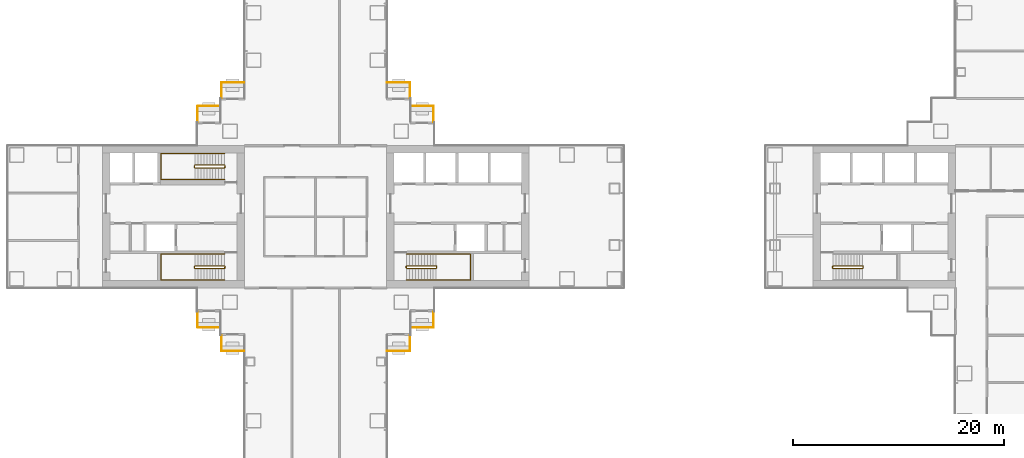
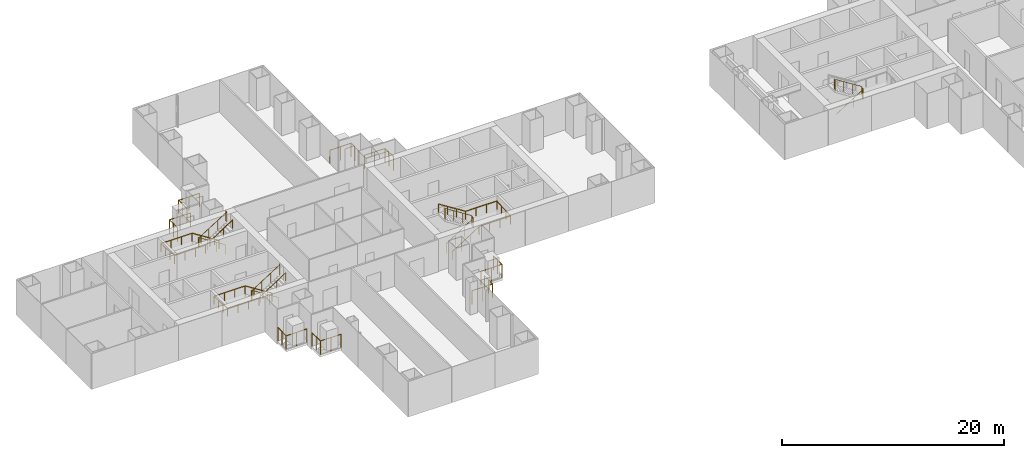
# One storey, part 19 of 21: 15 railings.
"""IFC4 building model written with IfcOpenShell, lengths in metres."""

from ifc_helpers import new_model, si_unit, direction, frame, origin, origin_2d, place, context, subcontext, project, spatial, circle, extrude, material, type_object, element, save


model = new_model("IFC4")

# Units and contexts
model_context = context("Model", 3, precision=1e-05, world=origin(), true_north=direction((0.0, 1.0)))
body_context = subcontext(model_context, "Body", "Model", "MODEL_VIEW")
ifc_project = project(units=[si_unit("LENGTHUNIT", "METRE"), si_unit("AREAUNIT", "SQUARE_METRE"), si_unit("VOLUMEUNIT", "CUBIC_METRE"), si_unit("PLANEANGLEUNIT", "RADIAN"), si_unit("MASSUNIT", "GRAM", prefix="KILO")], contexts=[model_context])

# Site, building, storey
site_placement = place(None, origin())
site = spatial("IfcSite", under=ifc_project, at=site_placement, CompositionType="ELEMENT")
building_placement = place(site_placement, origin())
building = spatial("IfcBuilding", under=site, at=building_placement, Name="Shamsa Quay Exchange Towers", CompositionType="ELEMENT")
storey_placement = place(building_placement, frame((0.0, 0.0, 42.0)))
storey = spatial("IfcBuildingStorey", under=building, at=storey_placement, Name="L08", CompositionType="ELEMENT", Elevation=42.0)

# Railings
ifc_material_1 = material(Name="Steel S355, black powder-coated", Category="steel")
railing_type_1 = type_object("IfcRailingType", Name="BALCONY GUARD 1500", PredefinedType="GUARDRAIL", material=ifc_material_1)
for number, where, name in (
    (1, (-22.550048828125, 9.02099609375, 0.0), "Balcony guard T1-PKEN L08"),
    (2, (-24.800048828125, 11.27099609375, 0.0), "Balcony guard T1-PKEN L08"),
):
    element("IfcRailing", number, at=place(storey_placement, frame(where)), inside=storey, type_object=railing_type_1, Name=name, PredefinedType="GUARDRAIL", context=body_context, shape_type="SweptSolid", body=[
        extrude(circle(Radius=0.02392578125, at=origin_2d()), frame((0.0, 0.0, 1.47607421875), z_axis=(0.0, 1.0, 0.0), x_axis=(-1.0, 0.0, 0.0)), (0.0, 0.0, 1.0), 1.47900390625),
        extrude(circle(Radius=0.02392578125, at=origin_2d()), frame((0.0, 1.47900390625, 1.47607421875), z_axis=(-1.0, 0.0, 0.0), x_axis=(0.0, -1.0, 0.0)), (0.0, 0.0, 1.0), 2.161865234375),
        extrude(circle(Radius=0.02099609375, at=origin_2d()), origin(), (0.0, 0.0, 1.0), 1.451904296875),
        extrude(circle(Radius=0.02099609375, at=origin_2d()), frame((0.0, 0.739501953125, 0.0)), (0.0, 0.0, 1.0), 1.451904296875),
        extrude(circle(Radius=0.02099609375, at=origin_2d()), frame((0.0, 1.47900390625, 0.0)), (0.0, 0.0, 1.0), 1.451904296875),
        extrude(circle(Radius=0.02099609375, at=origin_2d()), frame((-1.0810546875, 1.47900390625, 0.0)), (0.0, 0.0, 1.0), 1.451904296875),
        extrude(circle(Radius=0.02099609375, at=origin_2d()), frame((-2.161865234375, 1.47900390625, 0.0)), (0.0, 0.0, 1.0), 1.451904296875),
    ])
for number, where, name in (
    (3, (-24.7119140625, -10.5, 0.0), "Balcony guard T1-PKES L08"),
    (4, (-26.9619140625, -12.75, 0.0), "Balcony guard T1-PKES L08"),
):
    element("IfcRailing", number, at=place(storey_placement, frame(where)), inside=storey, type_object=railing_type_1, Name=name, PredefinedType="GUARDRAIL", context=body_context, shape_type="SweptSolid", body=[
        extrude(circle(Radius=0.02392578125, at=origin_2d()), frame((0.0, 0.0, 1.47607421875), z_axis=(1.0, 0.0, 0.0), x_axis=(0.0, 1.0, 0.0)), (0.0, 0.0, 1.0), 2.161865234375),
        extrude(circle(Radius=0.02392578125, at=origin_2d()), frame((2.161865234375, 0.0, 1.47607421875), z_axis=(0.0, 1.0, 0.0), x_axis=(-1.0, 0.0, 0.0)), (0.0, 0.0, 1.0), 1.47900390625),
        extrude(circle(Radius=0.02099609375, at=origin_2d()), origin(), (0.0, 0.0, 1.0), 1.451904296875),
        extrude(circle(Radius=0.02099609375, at=origin_2d()), frame((1.0810546875, 0.0, 0.0)), (0.0, 0.0, 1.0), 1.451904296875),
        extrude(circle(Radius=0.02099609375, at=origin_2d()), frame((2.161865234375, 0.0, 0.0)), (0.0, 0.0, 1.0), 1.451904296875),
        extrude(circle(Radius=0.02099609375, at=origin_2d()), frame((2.161865234375, 0.739501953125, 0.0)), (0.0, 0.0, 1.0), 1.451904296875),
        extrude(circle(Radius=0.02099609375, at=origin_2d()), frame((2.161865234375, 1.47900390625, 0.0)), (0.0, 0.0, 1.0), 1.451904296875),
    ])
for number, where, name in (
    (5, (-40.5380859375, 12.75, 0.0), "Balcony guard T1-PKWN L08"),
    (6, (-42.7880859375, 10.5, 0.0), "Balcony guard T1-PKWN L08"),
):
    element("IfcRailing", number, at=place(storey_placement, frame(where)), inside=storey, type_object=railing_type_1, Name=name, PredefinedType="GUARDRAIL", context=body_context, shape_type="SweptSolid", body=[
        extrude(circle(Radius=0.02392578125, at=origin_2d()), frame((0.0, 0.0, 1.47607421875), z_axis=(-1.0, 0.0, 0.0), x_axis=(0.0, -1.0, 0.0)), (0.0, 0.0, 1.0), 2.161865234375),
        extrude(circle(Radius=0.02392578125, at=origin_2d()), frame((-2.161865234375, 0.0, 1.47607421875), z_axis=(0.0, -1.0, 0.0), x_axis=(1.0, 0.0, 0.0)), (0.0, 0.0, 1.0), 1.47900390625),
        extrude(circle(Radius=0.02099609375, at=origin_2d()), origin(), (0.0, 0.0, 1.0), 1.451904296875),
        extrude(circle(Radius=0.02099609375, at=origin_2d()), frame((-1.0810546875, 0.0, 0.0)), (0.0, 0.0, 1.0), 1.451904296875),
        extrude(circle(Radius=0.02099609375, at=origin_2d()), frame((-2.161865234375, 0.0, 0.0)), (0.0, 0.0, 1.0), 1.451904296875),
        extrude(circle(Radius=0.02099609375, at=origin_2d()), frame((-2.161865234375, -0.739501953125, 0.0)), (0.0, 0.0, 1.0), 1.451904296875),
        extrude(circle(Radius=0.02099609375, at=origin_2d()), frame((-2.161865234375, -1.47900390625, 0.0)), (0.0, 0.0, 1.0), 1.451904296875),
    ])
for number, where, name in (
    (7, (-44.949951171875, -9.02099609375, 0.0), "Balcony guard T1-PKWS L08"),
    (8, (-42.699951171875, -11.27099609375, 0.0), "Balcony guard T1-PKWS L08"),
):
    element("IfcRailing", number, at=place(storey_placement, frame(where)), inside=storey, type_object=railing_type_1, Name=name, PredefinedType="GUARDRAIL", context=body_context, shape_type="SweptSolid", body=[
        extrude(circle(Radius=0.02392578125, at=origin_2d()), frame((0.0, 0.0, 1.47607421875), z_axis=(0.0, -1.0, 0.0), x_axis=(1.0, 0.0, 0.0)), (0.0, 0.0, 1.0), 1.47900390625),
        extrude(circle(Radius=0.02392578125, at=origin_2d()), frame((0.0, -1.47900390625, 1.47607421875), z_axis=(1.0, 0.0, 0.0), x_axis=(0.0, 1.0, 0.0)), (0.0, 0.0, 1.0), 2.161865234375),
        extrude(circle(Radius=0.02099609375, at=origin_2d()), origin(), (0.0, 0.0, 1.0), 1.451904296875),
        extrude(circle(Radius=0.02099609375, at=origin_2d()), frame((0.0, -0.739501953125, 0.0)), (0.0, 0.0, 1.0), 1.451904296875),
        extrude(circle(Radius=0.02099609375, at=origin_2d()), frame((0.0, -1.47900390625, 0.0)), (0.0, 0.0, 1.0), 1.451904296875),
        extrude(circle(Radius=0.02099609375, at=origin_2d()), frame((1.0810546875, -1.47900390625, 0.0)), (0.0, 0.0, 1.0), 1.451904296875),
        extrude(circle(Radius=0.02099609375, at=origin_2d()), frame((2.161865234375, -1.47900390625, 0.0)), (0.0, 0.0, 1.0), 1.451904296875),
    ])
ifc_material_2 = material(Name="Stainless steel", Category="steel")
railing_type_2 = type_object("IfcRailingType", Name="STAIR GUARD 1100", PredefinedType="GUARDRAIL", material=ifc_material_2)
railing_1_placement = place(storey_placement, frame((-25.10009765625, -4.89990234375, 0.17724609375)))
element("IfcRailing", 9, at=railing_1_placement, inside=storey, type_object=railing_type_2, Name="L08 ST1 stair guard 1", PredefinedType="GUARDRAIL", context=body_context, shape_type="SweptSolid", body=[
    extrude(circle(Radius=0.02392578125, at=origin_2d()), frame((0.0, 0.0, 1.076171875), z_axis=(0.844908973607, 0.0, 0.534910110503), x_axis=(0.0, 1.0, 0.0)), (0.0, 0.0, 1.0), 3.31396484375),
    extrude(circle(Radius=0.02392578125, at=origin_2d()), frame((2.800048828125, 0.0, 2.8486328125), z_axis=(0.708833529934, 0.705375805398, 0.0), x_axis=(-0.705375805398, 0.708833529934, 0.0)), (0.0, 0.0, 1.0), 0.070556640625),
    extrude(circle(Radius=0.02392578125, at=origin_2d()), frame((2.85009765625, 0.0498046875, 2.8486328125), z_axis=(0.0, 1.0, 0.0), x_axis=(-1.0, 0.0, 0.0)), (0.0, 0.0, 1.0), 0.150146484375),
    extrude(circle(Radius=0.02392578125, at=origin_2d()), frame((2.85009765625, 0.199951171875, 2.8486328125), z_axis=(-0.262233686654, 0.262233686654, 0.928691007369), x_axis=(-0.707106781187, -0.707106781187, 0.0)), (0.0, 0.0, 1.0), 0.19091796875),
    extrude(circle(Radius=0.02392578125, at=origin_2d()), frame((2.800048828125, 0.25, 3.02587890625), z_axis=(-0.844908973607, 0.0, 0.534910110503), x_axis=(0.0, -1.0, 0.0)), (0.0, 0.0, 1.0), 3.31396484375),
    extrude(circle(Radius=0.02392578125, at=origin_2d()), frame((0.0, 0.25, 4.798828125), z_axis=(-0.24142163986, -0.970420317083, 0.0), x_axis=(0.970420317083, -0.24142163986, 0.0)), (0.0, 0.0, 1.0), 0.206298828125),
    extrude(circle(Radius=0.02392578125, at=origin_2d()), frame((-0.0498046875, 0.0498046875, 4.798828125), z_axis=(0.0, 1.0, 0.0), x_axis=(-1.0, 0.0, 0.0)), (0.0, 0.0, 1.0), 0.150146484375),
    extrude(circle(Radius=0.02099609375, at=origin_2d()), origin(), (0.0, 0.0, 1.0), 1.052001953125),
    extrude(circle(Radius=0.02099609375, at=origin_2d()), frame((0.933349609375, 0.0, 0.5908203125)), (0.0, 0.0, 1.0), 1.052001953125),
    extrude(circle(Radius=0.02099609375, at=origin_2d()), frame((1.86669921875, 0.0, 1.181884765625)), (0.0, 0.0, 1.0), 1.052001953125),
    extrude(circle(Radius=0.02099609375, at=origin_2d()), frame((2.800048828125, 0.0, 1.772705078125)), (0.0, 0.0, 1.0), 1.052001953125),
    extrude(circle(Radius=0.02099609375, at=origin_2d()), frame((2.85009765625, 0.0498046875, 1.772705078125)), (0.0, 0.0, 1.0), 1.052001953125),
    extrude(circle(Radius=0.02099609375, at=origin_2d()), frame((2.85009765625, 0.199951171875, 1.772705078125)), (0.0, 0.0, 1.0), 1.052001953125),
    extrude(circle(Radius=0.02099609375, at=origin_2d()), frame((2.800048828125, 0.25, 1.949951171875)), (0.0, 0.0, 1.0), 1.052001953125),
    extrude(circle(Radius=0.02099609375, at=origin_2d()), frame((1.86669921875, 0.25, 2.540771484375)), (0.0, 0.0, 1.0), 1.052001953125),
    extrude(circle(Radius=0.02099609375, at=origin_2d()), frame((0.933349609375, 0.25, 3.1318359375)), (0.0, 0.0, 1.0), 1.052001953125),
    extrude(circle(Radius=0.02099609375, at=origin_2d()), frame((0.0, 0.25, 3.72265625)), (0.0, 0.0, 1.0), 1.052001953125),
    extrude(circle(Radius=0.02099609375, at=origin_2d()), frame((-0.0498046875, 0.0498046875, 3.72265625)), (0.0, 0.0, 1.0), 1.052001953125),
    extrude(circle(Radius=0.02099609375, at=origin_2d()), frame((-0.0498046875, 0.199951171875, 3.72265625)), (0.0, 0.0, 1.0), 1.052001953125),
])
railing_2_placement = place(storey_placement, frame((-42.39990234375, -4.64990234375, 0.17724609375)))
element("IfcRailing", 10, at=railing_2_placement, inside=storey, type_object=railing_type_2, Name="L08 ST2 stair guard 1", PredefinedType="GUARDRAIL", context=body_context, shape_type="SweptSolid", body=[
    extrude(circle(Radius=0.02392578125, at=origin_2d()), frame((0.0, 0.0, 1.076171875), z_axis=(-0.844908973607, 0.0, 0.534910110503), x_axis=(0.0, -1.0, 0.0)), (0.0, 0.0, 1.0), 3.31396484375),
    extrude(circle(Radius=0.02392578125, at=origin_2d()), frame((-2.800048828125, 0.0, 2.8486328125), z_axis=(-0.707106781187, -0.707106781187, 0.0), x_axis=(0.707106781187, -0.707106781187, 0.0)), (0.0, 0.0, 1.0), 0.07080078125),
    extrude(circle(Radius=0.02392578125, at=origin_2d()), frame((-2.85009765625, -0.050048828125, 2.8486328125), z_axis=(0.0, -1.0, 0.0), x_axis=(1.0, 0.0, 0.0)), (0.0, 0.0, 1.0), 0.150146484375),
    extrude(circle(Radius=0.02392578125, at=origin_2d()), frame((-2.85009765625, -0.2001953125, 2.8486328125), z_axis=(0.262321481514, -0.261041864531, 0.929001929653), x_axis=(0.705375805398, 0.708833529934, 0.0)), (0.0, 0.0, 1.0), 0.190673828125),
    extrude(circle(Radius=0.02392578125, at=origin_2d()), frame((-2.800048828125, -0.25, 3.02587890625), z_axis=(0.844908973607, 0.0, 0.534910110503), x_axis=(0.0, 1.0, 0.0)), (0.0, 0.0, 1.0), 3.31396484375),
    extrude(circle(Radius=0.02392578125, at=origin_2d()), frame((0.0, -0.25, 4.798828125), z_axis=(0.241699205484, 0.970351222016, 0.0), x_axis=(-0.970351222016, 0.241699205484, 0.0)), (0.0, 0.0, 1.0), 0.2060546875),
    extrude(circle(Radius=0.02392578125, at=origin_2d()), frame((0.0498046875, -0.050048828125, 4.798828125), z_axis=(0.0, -1.0, 0.0), x_axis=(1.0, 0.0, 0.0)), (0.0, 0.0, 1.0), 0.150146484375),
    extrude(circle(Radius=0.02099609375, at=origin_2d()), origin(), (0.0, 0.0, 1.0), 1.052001953125),
    extrude(circle(Radius=0.02099609375, at=origin_2d()), frame((-0.933349609375, 0.0, 0.5908203125)), (0.0, 0.0, 1.0), 1.052001953125),
    extrude(circle(Radius=0.02099609375, at=origin_2d()), frame((-1.86669921875, 0.0, 1.181884765625)), (0.0, 0.0, 1.0), 1.052001953125),
    extrude(circle(Radius=0.02099609375, at=origin_2d()), frame((-2.800048828125, 0.0, 1.772705078125)), (0.0, 0.0, 1.0), 1.052001953125),
    extrude(circle(Radius=0.02099609375, at=origin_2d()), frame((-2.85009765625, -0.050048828125, 1.772705078125)), (0.0, 0.0, 1.0), 1.052001953125),
    extrude(circle(Radius=0.02099609375, at=origin_2d()), frame((-2.85009765625, -0.2001953125, 1.772705078125)), (0.0, 0.0, 1.0), 1.052001953125),
    extrude(circle(Radius=0.02099609375, at=origin_2d()), frame((-2.800048828125, -0.25, 1.949951171875)), (0.0, 0.0, 1.0), 1.052001953125),
    extrude(circle(Radius=0.02099609375, at=origin_2d()), frame((-1.86669921875, -0.25, 2.540771484375)), (0.0, 0.0, 1.0), 1.052001953125),
    extrude(circle(Radius=0.02099609375, at=origin_2d()), frame((-0.933349609375, -0.25, 3.1318359375)), (0.0, 0.0, 1.0), 1.052001953125),
    extrude(circle(Radius=0.02099609375, at=origin_2d()), frame((0.0, -0.25, 3.72265625)), (0.0, 0.0, 1.0), 1.052001953125),
    extrude(circle(Radius=0.02099609375, at=origin_2d()), frame((0.0498046875, -0.050048828125, 3.72265625)), (0.0, 0.0, 1.0), 1.052001953125),
    extrude(circle(Radius=0.02099609375, at=origin_2d()), frame((0.0498046875, -0.2001953125, 3.72265625)), (0.0, 0.0, 1.0), 1.052001953125),
])
railing_3_placement = place(storey_placement, frame((-42.39990234375, 4.89990234375, 0.17724609375)))
element("IfcRailing", 11, at=railing_3_placement, inside=storey, type_object=railing_type_2, Name="L08 ST3 stair guard 1", PredefinedType="GUARDRAIL", context=body_context, shape_type="SweptSolid", body=[
    extrude(circle(Radius=0.02392578125, at=origin_2d()), frame((0.0, 0.0, 1.076171875), z_axis=(-0.844908973607, 0.0, 0.534910110503), x_axis=(0.0, -1.0, 0.0)), (0.0, 0.0, 1.0), 3.31396484375),
    extrude(circle(Radius=0.02392578125, at=origin_2d()), frame((-2.800048828125, 0.0, 2.8486328125), z_axis=(-0.708833529934, -0.705375805398, 0.0), x_axis=(0.705375805398, -0.708833529934, 0.0)), (0.0, 0.0, 1.0), 0.070556640625),
    extrude(circle(Radius=0.02392578125, at=origin_2d()), frame((-2.85009765625, -0.0498046875, 2.8486328125), z_axis=(0.0, -1.0, 0.0), x_axis=(1.0, 0.0, 0.0)), (0.0, 0.0, 1.0), 0.150146484375),
    extrude(circle(Radius=0.02392578125, at=origin_2d()), frame((-2.85009765625, -0.199951171875, 2.8486328125), z_axis=(0.262233686654, -0.262233686654, 0.928691007369), x_axis=(0.707106781187, 0.707106781187, 0.0)), (0.0, 0.0, 1.0), 0.19091796875),
    extrude(circle(Radius=0.02392578125, at=origin_2d()), frame((-2.800048828125, -0.25, 3.02587890625), z_axis=(0.844908973607, 0.0, 0.534910110503), x_axis=(0.0, 1.0, 0.0)), (0.0, 0.0, 1.0), 3.31396484375),
    extrude(circle(Radius=0.02392578125, at=origin_2d()), frame((0.0, -0.25, 4.798828125), z_axis=(0.24142163986, 0.970420317083, 0.0), x_axis=(-0.970420317083, 0.24142163986, 0.0)), (0.0, 0.0, 1.0), 0.206298828125),
    extrude(circle(Radius=0.02392578125, at=origin_2d()), frame((0.0498046875, -0.0498046875, 4.798828125), z_axis=(0.0, -1.0, 0.0), x_axis=(1.0, 0.0, 0.0)), (0.0, 0.0, 1.0), 0.150146484375),
    extrude(circle(Radius=0.02099609375, at=origin_2d()), origin(), (0.0, 0.0, 1.0), 1.052001953125),
    extrude(circle(Radius=0.02099609375, at=origin_2d()), frame((-0.933349609375, 0.0, 0.5908203125)), (0.0, 0.0, 1.0), 1.052001953125),
    extrude(circle(Radius=0.02099609375, at=origin_2d()), frame((-1.86669921875, 0.0, 1.181884765625)), (0.0, 0.0, 1.0), 1.052001953125),
    extrude(circle(Radius=0.02099609375, at=origin_2d()), frame((-2.800048828125, 0.0, 1.772705078125)), (0.0, 0.0, 1.0), 1.052001953125),
    extrude(circle(Radius=0.02099609375, at=origin_2d()), frame((-2.85009765625, -0.0498046875, 1.772705078125)), (0.0, 0.0, 1.0), 1.052001953125),
    extrude(circle(Radius=0.02099609375, at=origin_2d()), frame((-2.85009765625, -0.199951171875, 1.772705078125)), (0.0, 0.0, 1.0), 1.052001953125),
    extrude(circle(Radius=0.02099609375, at=origin_2d()), frame((-2.800048828125, -0.25, 1.949951171875)), (0.0, 0.0, 1.0), 1.052001953125),
    extrude(circle(Radius=0.02099609375, at=origin_2d()), frame((-1.86669921875, -0.25, 2.540771484375)), (0.0, 0.0, 1.0), 1.052001953125),
    extrude(circle(Radius=0.02099609375, at=origin_2d()), frame((-0.933349609375, -0.25, 3.1318359375)), (0.0, 0.0, 1.0), 1.052001953125),
    extrude(circle(Radius=0.02099609375, at=origin_2d()), frame((0.0, -0.25, 3.72265625)), (0.0, 0.0, 1.0), 1.052001953125),
    extrude(circle(Radius=0.02099609375, at=origin_2d()), frame((0.0498046875, -0.0498046875, 3.72265625)), (0.0, 0.0, 1.0), 1.052001953125),
    extrude(circle(Radius=0.02099609375, at=origin_2d()), frame((0.0498046875, -0.199951171875, 3.72265625)), (0.0, 0.0, 1.0), 1.052001953125),
])
railing_4_placement = place(storey_placement, frame((15.39990234375, -4.89990234375, 0.17724609375)))
element("IfcRailing", 12, at=railing_4_placement, inside=storey, type_object=railing_type_2, Name="L08 ST4 stair guard 1", PredefinedType="GUARDRAIL", context=body_context, shape_type="SweptSolid", body=[
    extrude(circle(Radius=0.02392578125, at=origin_2d()), frame((0.0, 0.0, 1.076171875), z_axis=(0.844908973607, 0.0, 0.534910110503), x_axis=(0.0, 1.0, 0.0)), (0.0, 0.0, 1.0), 3.31396484375),
    extrude(circle(Radius=0.02392578125, at=origin_2d()), frame((2.800048828125, 0.0, 2.8486328125), z_axis=(0.708833529934, 0.705375805398, 0.0), x_axis=(-0.705375805398, 0.708833529934, 0.0)), (0.0, 0.0, 1.0), 0.070556640625),
    extrude(circle(Radius=0.02392578125, at=origin_2d()), frame((2.85009765625, 0.0498046875, 2.8486328125), z_axis=(0.0, 1.0, 0.0), x_axis=(-1.0, 0.0, 0.0)), (0.0, 0.0, 1.0), 0.150146484375),
    extrude(circle(Radius=0.02392578125, at=origin_2d()), frame((2.85009765625, 0.199951171875, 2.8486328125), z_axis=(-0.262233686654, 0.262233686654, 0.928691007369), x_axis=(-0.707106781187, -0.707106781187, 0.0)), (0.0, 0.0, 1.0), 0.19091796875),
    extrude(circle(Radius=0.02392578125, at=origin_2d()), frame((2.800048828125, 0.25, 3.02587890625), z_axis=(-0.844908973607, 0.0, 0.534910110503), x_axis=(0.0, -1.0, 0.0)), (0.0, 0.0, 1.0), 3.31396484375),
    extrude(circle(Radius=0.02392578125, at=origin_2d()), frame((0.0, 0.25, 4.798828125), z_axis=(-0.24142163986, -0.970420317083, 0.0), x_axis=(0.970420317083, -0.24142163986, 0.0)), (0.0, 0.0, 1.0), 0.206298828125),
    extrude(circle(Radius=0.02392578125, at=origin_2d()), frame((-0.0498046875, 0.0498046875, 4.798828125), z_axis=(0.0, 1.0, 0.0), x_axis=(-1.0, 0.0, 0.0)), (0.0, 0.0, 1.0), 0.150146484375),
    extrude(circle(Radius=0.02099609375, at=origin_2d()), origin(), (0.0, 0.0, 1.0), 1.052001953125),
    extrude(circle(Radius=0.02099609375, at=origin_2d()), frame((0.933349609375, 0.0, 0.5908203125)), (0.0, 0.0, 1.0), 1.052001953125),
    extrude(circle(Radius=0.02099609375, at=origin_2d()), frame((1.86669921875, 0.0, 1.181884765625)), (0.0, 0.0, 1.0), 1.052001953125),
    extrude(circle(Radius=0.02099609375, at=origin_2d()), frame((2.800048828125, 0.0, 1.772705078125)), (0.0, 0.0, 1.0), 1.052001953125),
    extrude(circle(Radius=0.02099609375, at=origin_2d()), frame((2.85009765625, 0.0498046875, 1.772705078125)), (0.0, 0.0, 1.0), 1.052001953125),
    extrude(circle(Radius=0.02099609375, at=origin_2d()), frame((2.85009765625, 0.199951171875, 1.772705078125)), (0.0, 0.0, 1.0), 1.052001953125),
    extrude(circle(Radius=0.02099609375, at=origin_2d()), frame((2.800048828125, 0.25, 1.949951171875)), (0.0, 0.0, 1.0), 1.052001953125),
    extrude(circle(Radius=0.02099609375, at=origin_2d()), frame((1.86669921875, 0.25, 2.540771484375)), (0.0, 0.0, 1.0), 1.052001953125),
    extrude(circle(Radius=0.02099609375, at=origin_2d()), frame((0.933349609375, 0.25, 3.1318359375)), (0.0, 0.0, 1.0), 1.052001953125),
    extrude(circle(Radius=0.02099609375, at=origin_2d()), frame((0.0, 0.25, 3.72265625)), (0.0, 0.0, 1.0), 1.052001953125),
    extrude(circle(Radius=0.02099609375, at=origin_2d()), frame((-0.0498046875, 0.0498046875, 3.72265625)), (0.0, 0.0, 1.0), 1.052001953125),
    extrude(circle(Radius=0.02099609375, at=origin_2d()), frame((-0.0498046875, 0.199951171875, 3.72265625)), (0.0, 0.0, 1.0), 1.052001953125),
])
railing_type_3 = type_object("IfcRailingType", Name="STAIR HANDRAIL 900", PredefinedType="HANDRAIL", material=ifc_material_2)
railing_5_placement = place(storey_placement, frame((-25.10009765625, -6.0, 0.17724609375)))
element("IfcRailing", 13, at=railing_5_placement, inside=storey, type_object=railing_type_3, Name="L08 ST1 stair handrail 1", PredefinedType="HANDRAIL", context=body_context, shape_type="SweptSolid", body=[
    extrude(circle(Radius=0.02392578125, at=origin_2d()), frame((0.0, 0.0, 0.8759765625), z_axis=(0.844908973607, 0.0, 0.534910110503), x_axis=(0.0, 1.0, 0.0)), (0.0, 0.0, 1.0), 3.31396484375),
    extrude(circle(Radius=0.02392578125, at=origin_2d()), frame((2.800048828125, 0.0, 2.6484375), z_axis=(1.0, 0.0, 0.0), x_axis=(0.0, 1.0, 0.0)), (0.0, 0.0, 1.0), 3.25),
    extrude(circle(Radius=0.02392578125, at=origin_2d()), frame((6.050048828125, 0.0, 2.6484375), z_axis=(0.0, 0.997393199914, 0.07215819264), x_axis=(-1.0, 0.0, 0.0)), (0.0, 0.0, 1.0), 2.456298828125),
    extrude(circle(Radius=0.02392578125, at=origin_2d()), frame((6.050048828125, 2.449951171875, 2.82568359375), z_axis=(-1.0, 0.0, 0.0), x_axis=(0.0, -1.0, 0.0)), (0.0, 0.0, 1.0), 3.25),
    extrude(circle(Radius=0.02392578125, at=origin_2d()), frame((2.800048828125, 2.449951171875, 2.82568359375), z_axis=(-0.844908973607, 0.0, 0.534910110503), x_axis=(0.0, -1.0, 0.0)), (0.0, 0.0, 1.0), 3.31396484375),
    extrude(circle(Radius=0.02099609375, at=origin_2d()), origin(), (0.0, 0.0, 1.0), 0.851806640625),
    extrude(circle(Radius=0.02099609375, at=origin_2d()), frame((0.933349609375, 0.0, 0.5908203125)), (0.0, 0.0, 1.0), 0.851806640625),
    extrude(circle(Radius=0.02099609375, at=origin_2d()), frame((1.86669921875, 0.0, 1.181884765625)), (0.0, 0.0, 1.0), 0.851806640625),
    extrude(circle(Radius=0.02099609375, at=origin_2d()), frame((2.800048828125, 0.0, 1.772705078125)), (0.0, 0.0, 1.0), 0.851806640625),
    extrude(circle(Radius=0.02099609375, at=origin_2d()), frame((3.88330078125, 0.0, 1.772705078125)), (0.0, 0.0, 1.0), 0.851806640625),
    extrude(circle(Radius=0.02099609375, at=origin_2d()), frame((4.966796875, 0.0, 1.772705078125)), (0.0, 0.0, 1.0), 0.851806640625),
    extrude(circle(Radius=0.02099609375, at=origin_2d()), frame((6.050048828125, 0.0, 1.772705078125)), (0.0, 0.0, 1.0), 0.851806640625),
    extrude(circle(Radius=0.02099609375, at=origin_2d()), frame((6.050048828125, 0.816650390625, 1.831787109375)), (0.0, 0.0, 1.0), 0.851806640625),
    extrude(circle(Radius=0.02099609375, at=origin_2d()), frame((6.050048828125, 1.63330078125, 1.890869140625)), (0.0, 0.0, 1.0), 0.851806640625),
    extrude(circle(Radius=0.02099609375, at=origin_2d()), frame((6.050048828125, 2.449951171875, 1.949951171875)), (0.0, 0.0, 1.0), 0.851806640625),
    extrude(circle(Radius=0.02099609375, at=origin_2d()), frame((4.966796875, 2.449951171875, 1.949951171875)), (0.0, 0.0, 1.0), 0.851806640625),
    extrude(circle(Radius=0.02099609375, at=origin_2d()), frame((3.88330078125, 2.449951171875, 1.949951171875)), (0.0, 0.0, 1.0), 0.851806640625),
    extrude(circle(Radius=0.02099609375, at=origin_2d()), frame((2.800048828125, 2.449951171875, 1.949951171875)), (0.0, 0.0, 1.0), 0.851806640625),
    extrude(circle(Radius=0.02099609375, at=origin_2d()), frame((1.86669921875, 2.449951171875, 2.540771484375)), (0.0, 0.0, 1.0), 0.851806640625),
    extrude(circle(Radius=0.02099609375, at=origin_2d()), frame((0.933349609375, 2.449951171875, 3.1318359375)), (0.0, 0.0, 1.0), 0.851806640625),
    extrude(circle(Radius=0.02099609375, at=origin_2d()), frame((0.0, 2.449951171875, 3.72265625)), (0.0, 0.0, 1.0), 0.851806640625),
])
railing_6_placement = place(storey_placement, frame((-42.39990234375, -3.550048828125, 0.17724609375)))
element("IfcRailing", 14, at=railing_6_placement, inside=storey, type_object=railing_type_3, Name="L08 ST2 stair handrail 1", PredefinedType="HANDRAIL", context=body_context, shape_type="SweptSolid", body=[
    extrude(circle(Radius=0.02392578125, at=origin_2d()), frame((0.0, 0.0, 0.8759765625), z_axis=(-0.844908973607, 0.0, 0.534910110503), x_axis=(0.0, -1.0, 0.0)), (0.0, 0.0, 1.0), 3.31396484375),
    extrude(circle(Radius=0.02392578125, at=origin_2d()), frame((-2.800048828125, 0.0, 2.6484375), z_axis=(-1.0, 0.0, 0.0), x_axis=(0.0, -1.0, 0.0)), (0.0, 0.0, 1.0), 3.25),
    extrude(circle(Radius=0.02392578125, at=origin_2d()), frame((-6.050048828125, 0.0, 2.6484375), z_axis=(0.0, -0.997393199914, 0.07215819264), x_axis=(1.0, 0.0, 0.0)), (0.0, 0.0, 1.0), 2.456298828125),
    extrude(circle(Radius=0.02392578125, at=origin_2d()), frame((-6.050048828125, -2.449951171875, 2.82568359375), z_axis=(1.0, 0.0, 0.0), x_axis=(0.0, 1.0, 0.0)), (0.0, 0.0, 1.0), 3.25),
    extrude(circle(Radius=0.02392578125, at=origin_2d()), frame((-2.800048828125, -2.449951171875, 2.82568359375), z_axis=(0.844908973607, 0.0, 0.534910110503), x_axis=(0.0, 1.0, 0.0)), (0.0, 0.0, 1.0), 3.31396484375),
    extrude(circle(Radius=0.02099609375, at=origin_2d()), origin(), (0.0, 0.0, 1.0), 0.851806640625),
    extrude(circle(Radius=0.02099609375, at=origin_2d()), frame((-0.933349609375, 0.0, 0.5908203125)), (0.0, 0.0, 1.0), 0.851806640625),
    extrude(circle(Radius=0.02099609375, at=origin_2d()), frame((-1.86669921875, 0.0, 1.181884765625)), (0.0, 0.0, 1.0), 0.851806640625),
    extrude(circle(Radius=0.02099609375, at=origin_2d()), frame((-2.800048828125, 0.0, 1.772705078125)), (0.0, 0.0, 1.0), 0.851806640625),
    extrude(circle(Radius=0.02099609375, at=origin_2d()), frame((-3.88330078125, 0.0, 1.772705078125)), (0.0, 0.0, 1.0), 0.851806640625),
    extrude(circle(Radius=0.02099609375, at=origin_2d()), frame((-4.966796875, 0.0, 1.772705078125)), (0.0, 0.0, 1.0), 0.851806640625),
    extrude(circle(Radius=0.02099609375, at=origin_2d()), frame((-6.050048828125, 0.0, 1.772705078125)), (0.0, 0.0, 1.0), 0.851806640625),
    extrude(circle(Radius=0.02099609375, at=origin_2d()), frame((-6.050048828125, -0.816650390625, 1.831787109375)), (0.0, 0.0, 1.0), 0.851806640625),
    extrude(circle(Radius=0.02099609375, at=origin_2d()), frame((-6.050048828125, -1.63330078125, 1.890869140625)), (0.0, 0.0, 1.0), 0.851806640625),
    extrude(circle(Radius=0.02099609375, at=origin_2d()), frame((-6.050048828125, -2.449951171875, 1.949951171875)), (0.0, 0.0, 1.0), 0.851806640625),
    extrude(circle(Radius=0.02099609375, at=origin_2d()), frame((-4.966796875, -2.449951171875, 1.949951171875)), (0.0, 0.0, 1.0), 0.851806640625),
    extrude(circle(Radius=0.02099609375, at=origin_2d()), frame((-3.88330078125, -2.449951171875, 1.949951171875)), (0.0, 0.0, 1.0), 0.851806640625),
    extrude(circle(Radius=0.02099609375, at=origin_2d()), frame((-2.800048828125, -2.449951171875, 1.949951171875)), (0.0, 0.0, 1.0), 0.851806640625),
    extrude(circle(Radius=0.02099609375, at=origin_2d()), frame((-1.86669921875, -2.449951171875, 2.540771484375)), (0.0, 0.0, 1.0), 0.851806640625),
    extrude(circle(Radius=0.02099609375, at=origin_2d()), frame((-0.933349609375, -2.449951171875, 3.1318359375)), (0.0, 0.0, 1.0), 0.851806640625),
    extrude(circle(Radius=0.02099609375, at=origin_2d()), frame((0.0, -2.449951171875, 3.72265625)), (0.0, 0.0, 1.0), 0.851806640625),
])
railing_7_placement = place(storey_placement, frame((-42.39990234375, 6.0, 0.17724609375)))
element("IfcRailing", 15, at=railing_7_placement, inside=storey, type_object=railing_type_3, Name="L08 ST3 stair handrail 1", PredefinedType="HANDRAIL", context=body_context, shape_type="SweptSolid", body=[
    extrude(circle(Radius=0.02392578125, at=origin_2d()), frame((0.0, 0.0, 0.8759765625), z_axis=(-0.844908973607, 0.0, 0.534910110503), x_axis=(0.0, -1.0, 0.0)), (0.0, 0.0, 1.0), 3.31396484375),
    extrude(circle(Radius=0.02392578125, at=origin_2d()), frame((-2.800048828125, 0.0, 2.6484375), z_axis=(-1.0, 0.0, 0.0), x_axis=(0.0, -1.0, 0.0)), (0.0, 0.0, 1.0), 3.25),
    extrude(circle(Radius=0.02392578125, at=origin_2d()), frame((-6.050048828125, 0.0, 2.6484375), z_axis=(0.0, -0.997393199914, 0.07215819264), x_axis=(1.0, 0.0, 0.0)), (0.0, 0.0, 1.0), 2.456298828125),
    extrude(circle(Radius=0.02392578125, at=origin_2d()), frame((-6.050048828125, -2.449951171875, 2.82568359375), z_axis=(1.0, 0.0, 0.0), x_axis=(0.0, 1.0, 0.0)), (0.0, 0.0, 1.0), 3.25),
    extrude(circle(Radius=0.02392578125, at=origin_2d()), frame((-2.800048828125, -2.449951171875, 2.82568359375), z_axis=(0.844908973607, 0.0, 0.534910110503), x_axis=(0.0, 1.0, 0.0)), (0.0, 0.0, 1.0), 3.31396484375),
    extrude(circle(Radius=0.02099609375, at=origin_2d()), origin(), (0.0, 0.0, 1.0), 0.851806640625),
    extrude(circle(Radius=0.02099609375, at=origin_2d()), frame((-0.933349609375, 0.0, 0.5908203125)), (0.0, 0.0, 1.0), 0.851806640625),
    extrude(circle(Radius=0.02099609375, at=origin_2d()), frame((-1.86669921875, 0.0, 1.181884765625)), (0.0, 0.0, 1.0), 0.851806640625),
    extrude(circle(Radius=0.02099609375, at=origin_2d()), frame((-2.800048828125, 0.0, 1.772705078125)), (0.0, 0.0, 1.0), 0.851806640625),
    extrude(circle(Radius=0.02099609375, at=origin_2d()), frame((-3.88330078125, 0.0, 1.772705078125)), (0.0, 0.0, 1.0), 0.851806640625),
    extrude(circle(Radius=0.02099609375, at=origin_2d()), frame((-4.966796875, 0.0, 1.772705078125)), (0.0, 0.0, 1.0), 0.851806640625),
    extrude(circle(Radius=0.02099609375, at=origin_2d()), frame((-6.050048828125, 0.0, 1.772705078125)), (0.0, 0.0, 1.0), 0.851806640625),
    extrude(circle(Radius=0.02099609375, at=origin_2d()), frame((-6.050048828125, -0.816650390625, 1.831787109375)), (0.0, 0.0, 1.0), 0.851806640625),
    extrude(circle(Radius=0.02099609375, at=origin_2d()), frame((-6.050048828125, -1.63330078125, 1.890869140625)), (0.0, 0.0, 1.0), 0.851806640625),
    extrude(circle(Radius=0.02099609375, at=origin_2d()), frame((-6.050048828125, -2.449951171875, 1.949951171875)), (0.0, 0.0, 1.0), 0.851806640625),
    extrude(circle(Radius=0.02099609375, at=origin_2d()), frame((-4.966796875, -2.449951171875, 1.949951171875)), (0.0, 0.0, 1.0), 0.851806640625),
    extrude(circle(Radius=0.02099609375, at=origin_2d()), frame((-3.88330078125, -2.449951171875, 1.949951171875)), (0.0, 0.0, 1.0), 0.851806640625),
    extrude(circle(Radius=0.02099609375, at=origin_2d()), frame((-2.800048828125, -2.449951171875, 1.949951171875)), (0.0, 0.0, 1.0), 0.851806640625),
    extrude(circle(Radius=0.02099609375, at=origin_2d()), frame((-1.86669921875, -2.449951171875, 2.540771484375)), (0.0, 0.0, 1.0), 0.851806640625),
    extrude(circle(Radius=0.02099609375, at=origin_2d()), frame((-0.933349609375, -2.449951171875, 3.1318359375)), (0.0, 0.0, 1.0), 0.851806640625),
    extrude(circle(Radius=0.02099609375, at=origin_2d()), frame((0.0, -2.449951171875, 3.72265625)), (0.0, 0.0, 1.0), 0.851806640625),
])

save(model, "model.ifc")
